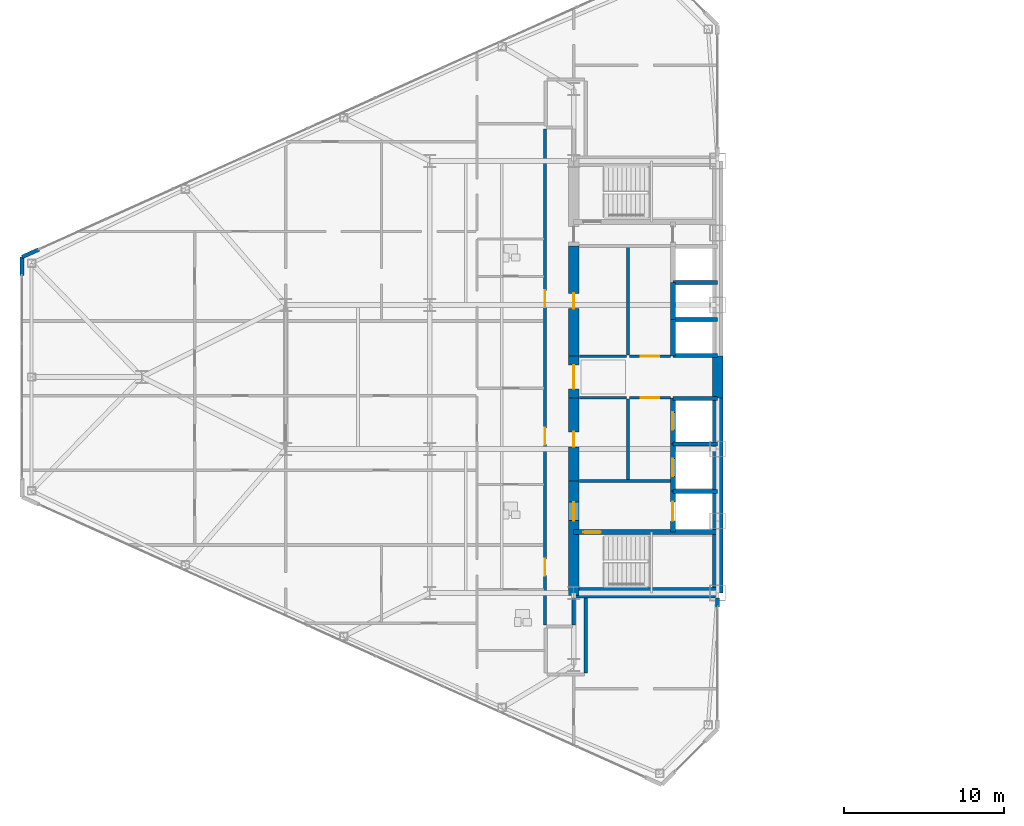
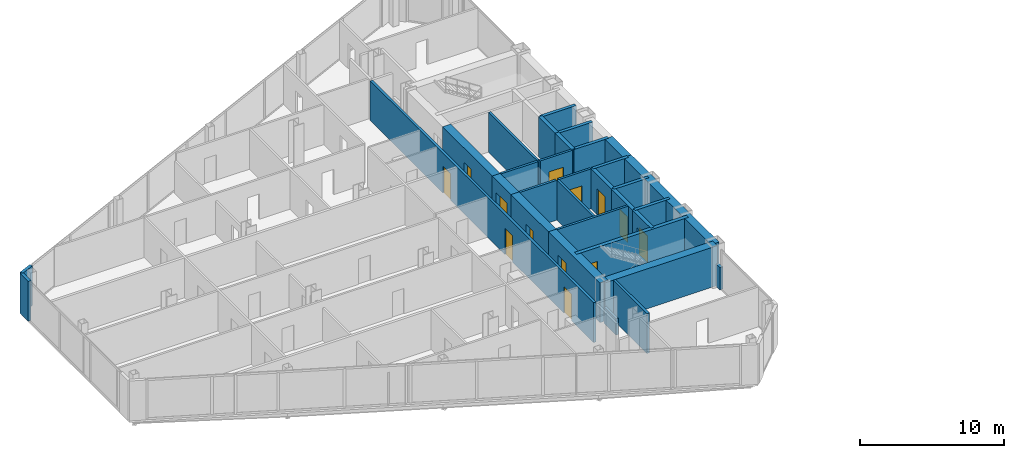
# One storey, part 20 of 27: 32 walls, 13 doors, 13 openings.
"""IFC4 building model written with IfcOpenShell, lengths in metres."""

import ifcopenshell
import ifcopenshell.guid

model = None  # the IFC model being written
_history = None  # IfcOwnerHistory: only IFC2X3 demands one
_inside = {}  # id of a spatial element -> (the spatial element, [elements in it])
_under = {}  # id of a project, library or spatial element -> (it, [spatial elements below it])
_declared = {}  # id of a project -> (the project, [libraries it declares])
_typed = {}  # id of a type object -> (the type object, [elements of that type])
_made_of = {}  # id of a material, layer set ... -> (it, [elements and type objects made of it])


def new_model(schema):
    """Start an empty IFC model of exactly this schema.

    Asked for "IFC4X3", IfcOpenShell would pick the latest addendum, in which some entities
    have other attributes; the version numbers below select the first issue.
    IFC2X3 requires an IfcOwnerHistory on every rooted entity: one is made here for all.
    """
    global model, _history
    if schema == "IFC4X3":
        model = ifcopenshell.file(schema_version=(4, 3, 0, 0))
    else:
        model = ifcopenshell.file(schema=schema)
    _inside.clear()
    _under.clear()
    _declared.clear()
    _typed.clear()
    _made_of.clear()
    _history = None
    if model.schema == "IFC2X3":
        org = make("IfcOrganization", Name="unknown")
        user = make(
            "IfcPersonAndOrganization",
            ThePerson=make("IfcPerson", FamilyName="unknown"),
            TheOrganization=org,
        )
        app = make(
            "IfcApplication",
            ApplicationDeveloper=org,
            Version="unknown",
            ApplicationFullName="unknown",
            ApplicationIdentifier="unknown",
        )
        _history = make(
            "IfcOwnerHistory",
            OwningUser=user,
            OwningApplication=app,
            ChangeAction="ADDED",
            CreationDate=0,
        )
    return model


def make(cls, **values):
    """One entity of the class cls with the attributes given. An attribute that is None is left unset."""
    return model.create_entity(
        cls, **{name: value for name, value in values.items() if value is not None}
    )


def rooted(cls, **values):
    """An entity with a GlobalId (a new one), such as an element, a storey or a relation."""
    return make(cls, GlobalId=ifcopenshell.guid.new(), OwnerHistory=_history, **values)


def si_unit(unit_type, name, prefix=None):
    """IfcSIUnit, for example si_unit("LENGTHUNIT", "METRE", prefix="MILLI")."""
    return make("IfcSIUnit", UnitType=unit_type, Prefix=prefix, Name=name)


def assignment(units):
    """IfcUnitAssignment: the units of a project."""
    return None if units is None else make("IfcUnitAssignment", Units=units)


def point(xyz):
    """IfcCartesianPoint."""
    return None if xyz is None else make("IfcCartesianPoint", Coordinates=xyz)


def direction(xyz):
    """IfcDirection."""
    return None if xyz is None else make("IfcDirection", DirectionRatios=xyz)


def frame(location, z_axis=None, x_axis=None):
    """IfcAxis2Placement3D, a coordinate frame: its origin and axes. An axis left out is left unset."""
    return make(
        "IfcAxis2Placement3D",
        Location=point(location),
        Axis=direction(z_axis),
        RefDirection=direction(x_axis),
    )


def frame_2d(location, x_axis=None):
    """IfcAxis2Placement2D, a coordinate frame in the plane: its origin and x axis."""
    return make(
        "IfcAxis2Placement2D", Location=point(location), RefDirection=direction(x_axis)
    )


def origin():
    """The frame at (0, 0, 0) with its axes left unset."""
    return frame((0.0, 0.0, 0.0))


def place(relative_to, where):
    """IfcLocalPlacement: puts the frame where relative to a parent placement (None: the world)."""
    return make(
        "IfcLocalPlacement", PlacementRelTo=relative_to, RelativePlacement=where
    )


def context(
    kind, dimensions, precision=None, world=None, true_north=None, identifier=None
):
    """IfcGeometricRepresentationContext, for example the 3D "Model" context."""
    return make(
        "IfcGeometricRepresentationContext",
        ContextIdentifier=identifier,
        ContextType=kind,
        CoordinateSpaceDimension=dimensions,
        Precision=precision,
        WorldCoordinateSystem=world,
        TrueNorth=true_north,
    )


def subcontext(parent, identifier, kind, view, scale=None):
    """IfcGeometricRepresentationSubContext, for example "Body" below "Model"."""
    return make(
        "IfcGeometricRepresentationSubContext",
        ContextIdentifier=identifier,
        ContextType=kind,
        ParentContext=parent,
        TargetScale=scale,
        TargetView=view,
    )


def project(units=None, contexts=None):
    """IfcProject with its units and contexts."""
    return rooted(
        "IfcProject",
        Name="project",
        RepresentationContexts=contexts,
        UnitsInContext=assignment(units),
    )


def spatial(cls, under=None, at=None, **own):
    """A site, building, storey or space (cls), placed at a placement, below another one or the project."""
    s = rooted(cls, ObjectPlacement=at, **own)
    if under is not None:
        _under.setdefault(under.id(), (under, []))[1].append(s)
    return s


def profile(cls, at=None, kind="AREA", **sizes):
    """A parametric profile (cls). Its sizes go by their IFC names, for example OverallWidth=200.0."""
    return make(cls, ProfileType=kind, Position=at, **sizes)


def rectangle(**sizes):
    """IfcRectangleProfileDef."""
    return profile("IfcRectangleProfileDef", **sizes)


def extrude(swept, where, along, depth):
    """IfcExtrudedAreaSolid: the profile swept, set in the frame where, extruded along a direction by depth."""
    return make(
        "IfcExtrudedAreaSolid",
        SweptArea=swept,
        Position=where,
        ExtrudedDirection=direction(along),
        Depth=depth,
    )


def shape(context_of_items, identifier, shape_type, items):
    """IfcShapeRepresentation: the items that make up one representation, for example the "Body"."""
    return make(
        "IfcShapeRepresentation",
        ContextOfItems=context_of_items,
        RepresentationIdentifier=identifier,
        RepresentationType=shape_type,
        Items=items,
    )


def source(mapping_origin, context_of_items, identifier, shape_type, items):
    """IfcRepresentationMap: a shape defined once, which mapped items show again and again."""
    return make(
        "IfcRepresentationMap",
        MappingOrigin=mapping_origin,
        MappedRepresentation=shape(context_of_items, identifier, shape_type, items),
    )


def transform(
    local_origin,
    x_axis=None,
    y_axis=None,
    z_axis=None,
    scale=None,
    scale2=None,
    scale3=None,
    uniform=True,
):
    """IfcCartesianTransformationOperator3D, or its non-uniform kind. x_axis, y_axis, z_axis: its Axis1, 2, 3."""
    if uniform:
        return make(
            "IfcCartesianTransformationOperator3D",
            Axis1=direction(x_axis),
            Axis2=direction(y_axis),
            LocalOrigin=point(local_origin),
            Scale=scale,
            Axis3=direction(z_axis),
        )
    return make(
        "IfcCartesianTransformationOperator3DnonUniform",
        Axis1=direction(x_axis),
        Axis2=direction(y_axis),
        LocalOrigin=point(local_origin),
        Scale=scale,
        Axis3=direction(z_axis),
        Scale2=scale2,
        Scale3=scale3,
    )


def mapped(mapping_source, mapping_target):
    """IfcMappedItem: shows the shape of a source again, moved by a transform."""
    return make(
        "IfcMappedItem", MappingSource=mapping_source, MappingTarget=mapping_target
    )


def material(Name=None, Category=None):
    """IfcMaterial."""
    return make("IfcMaterial", Name=Name, Category=Category)


def layer(
    of_material, thickness, ventilated=None, Name=None, Category=None, Priority=None
):
    """IfcMaterialLayer: one layer of a wall or slab, of a material (None: an air gap)."""
    return make(
        "IfcMaterialLayer",
        Material=of_material,
        LayerThickness=thickness,
        IsVentilated=ventilated,
        Name=Name,
        Category=Category,
        Priority=Priority,
    )


def layer_set(layers, Name=None):
    """IfcMaterialLayerSet."""
    return make("IfcMaterialLayerSet", MaterialLayers=layers, LayerSetName=Name)


def made_of(thing, what):
    """Note that an element or type object is made of a material, layer set ...; save() writes the relation."""
    if what is not None:
        _made_of.setdefault(what.id(), (what, []))[1].append(thing)
    return thing


def type_object(cls, material=None, **own):
    """A type object (cls), such as IfcWallType, which elements share."""
    return made_of(rooted(cls, **own), material)


def type_shapes(of_type, sources):
    """Give a type object the sources (RepresentationMaps) that its elements show as mapped items."""
    of_type.RepresentationMaps = sources


def element(
    cls,
    number,
    at=None,
    inside=None,
    cuts=None,
    type_object=None,
    material=None,
    context=None,
    identifier="Body",
    shape_type=None,
    held_by="IfcProductDefinitionShape",
    body=None,
    shapes=None,
    **own,
):
    """One element of the class cls, such as IfcWall. Its Tag is "e" and its number.

    at: its placement. inside: the storey or other place that contains it. cuts: it is an
    opening in that element (IfcRelVoidsElement). A single representation is given by context,
    identifier, shape_type and body (its items); several are given by shapes. held_by: the class
    of the entity that holds the representations. save() writes the other relations.
    """
    e = rooted(cls, Tag="e%d" % number, ObjectPlacement=at, **own)
    if body is not None:
        shapes = [shape(context, identifier, shape_type, body)]
    if shapes is not None:
        e.Representation = make(held_by, Representations=shapes)
    if inside is not None:
        _inside.setdefault(inside.id(), (inside, []))[1].append(e)
    if cuts is not None:
        rooted(
            "IfcRelVoidsElement", RelatingBuildingElement=cuts, RelatedOpeningElement=e
        )
    if type_object is not None:
        _typed.setdefault(type_object.id(), (type_object, []))[1].append(e)
    return made_of(e, material)


def fill(opening, filler):
    """IfcRelFillsElement: the door or window that sits in an opening."""
    return rooted(
        "IfcRelFillsElement",
        RelatingOpeningElement=opening,
        RelatedBuildingElement=filler,
    )


def aggregate(whole, parts):
    """IfcRelAggregates: a whole, such as a stair, and the parts it consists of."""
    return rooted("IfcRelAggregates", RelatingObject=whole, RelatedObjects=parts)


def save(model, path):
    """Write the relations noted so far, then the file.

    IfcRelAggregates (storeys below a building ...), IfcRelContainedInSpatialStructure (elements
    in a storey), IfcRelDefinesByType, IfcRelAssociatesMaterial and IfcRelDeclares: one each for
    every whole, place, type object, material and project.
    """
    for whole, parts in _under.values():
        aggregate(whole, parts)
    for where, things in _inside.values():
        rooted(
            "IfcRelContainedInSpatialStructure",
            RelatedElements=things,
            RelatingStructure=where,
        )
    for kind, things in _typed.values():
        rooted("IfcRelDefinesByType", RelatedObjects=things, RelatingType=kind)
    for what, things in _made_of.values():
        rooted("IfcRelAssociatesMaterial", RelatedObjects=things, RelatingMaterial=what)
    for by, libraries in _declared.values():
        rooted("IfcRelDeclares", RelatingContext=by, RelatedDefinitions=libraries)
    model.write(path)


model = new_model("IFC4")

# Units and contexts
model_context = context("Model", 3, precision=1e-05, world=origin(), true_north=direction((0.0, 1.0)))
body_context = subcontext(model_context, "Body", "Model", "MODEL_VIEW")
ifc_project = project(units=[si_unit("LENGTHUNIT", "METRE"), si_unit("AREAUNIT", "SQUARE_METRE"), si_unit("VOLUMEUNIT", "CUBIC_METRE"), si_unit("PLANEANGLEUNIT", "RADIAN"), si_unit("MASSUNIT", "GRAM", prefix="KILO")], contexts=[model_context])

# Site, building, storey
site_placement = place(None, origin())
site = spatial("IfcSite", under=ifc_project, at=site_placement, CompositionType="ELEMENT")
building_placement = place(site_placement, origin())
building = spatial("IfcBuilding", under=site, at=building_placement, Name="Seokmaru Belvedere", CompositionType="ELEMENT")
storey_placement = place(building_placement, frame((0.0, 0.0, 106.800048828125)))
storey = spatial("IfcBuildingStorey", under=building, at=storey_placement, Name="L28", CompositionType="ELEMENT", Elevation=106.800048828125)

# Walls
ifc_material_1 = material(Name="Fire-Rated Gypsum Shaftwall")
ifc_layer_1 = layer(ifc_material_1, 0.179931640625)
ifc_layer_set_1 = layer_set([ifc_layer_1], Name="Fire-Rated Gypsum Shaftwall")
wall_type_1 = type_object("IfcWallType", Name="Core Service Fire Partition 180", PredefinedType="PARTITIONING", material=ifc_layer_set_1)
wall_1_placement = place(storey_placement, frame((-36.14990234375, -6.5, 0.0), z_axis=(0.0, 0.0, 1.0), x_axis=(1.0, 0.0, 0.0)))
element("IfcWall", 1, at=wall_1_placement, inside=storey, type_object=wall_type_1, Name="L28 West Firefighting Lobby Partition", PredefinedType="PARTITIONING", context=body_context, shape_type="SweptSolid", body=[
    extrude(rectangle(XDim=5.699951171875, YDim=0.179931640625, at=frame_2d((2.85009765625, 0.0))), origin(), (0.0, 0.0, 1.0), 3.3798828125),
])
wall_2_placement = place(storey_placement, frame((-33.10009765625, -6.419921875, 0.0), z_axis=(0.0, 0.0, 1.0), x_axis=(0.0, 1.0, 0.0)))
element("IfcWall", 2, at=wall_2_placement, inside=storey, type_object=wall_type_1, Name="L28 West South Core Service Back Wall", PredefinedType="PARTITIONING", context=body_context, shape_type="SweptSolid", body=[
    extrude(rectangle(XDim=5.0400390625, YDim=0.179931640625, at=frame_2d((2.52001953125, 0.0))), origin(), (0.0, 0.0, 1.0), 3.3798828125),
])
wall_3_placement = place(storey_placement, frame((-33.10009765625, 1.3798828125, 0.0), z_axis=(0.0, 0.0, 1.0), x_axis=(0.0, 1.0, 0.0)))
element("IfcWall", 3, at=wall_3_placement, inside=storey, type_object=wall_type_1, Name="L28 West North Core Service Back Wall", PredefinedType="PARTITIONING", context=body_context, shape_type="SweptSolid", body=[
    extrude(rectangle(XDim=6.740234375, YDim=0.179931640625, at=frame_2d((3.3701171875, 0.0))), origin(), (0.0, 0.0, 1.0), 3.3798828125),
])

# Wall, opening, door
wall_4_placement = place(storey_placement, frame((-33.02001953125, -1.300048828125, 0.0), z_axis=(0.0, 0.0, 1.0), x_axis=(1.0, 0.0, 0.0)))
wall_4 = element("IfcWall", 4, at=wall_4_placement, inside=storey, type_object=wall_type_1, Name="L28 West South Lift Lobby Foyer Wall", PredefinedType="PARTITIONING", context=body_context, shape_type="SweptSolid", body=[
    extrude(rectangle(XDim=2.570068359375, YDim=0.179931640625, at=frame_2d((1.28515625, 0.0))), origin(), (0.0, 0.0, 1.0), 3.3798828125),
])
opening_1_placement = place(wall_4_placement, frame((0.7099609375, 0.0, 0.0)))
opening_1 = element("IfcOpeningElement", 5, at=opening_1_placement, cuts=wall_4, Name="Opening D02", PredefinedType="OPENING", context=body_context, shape_type="SweptSolid", body=[
    extrude(rectangle(XDim=1.14990234375, YDim=2.199951171875, at=frame_2d((0.574951171875, 1.10009765625))), frame((0.0, 0.10009765625, 0.0), z_axis=(0.0, -1.0, 0.0), x_axis=(1.0, 0.0, 0.0)), (0.0, 0.0, 1.0), 0.199951171875),
])
ifc_material_2 = material(Name="Fire-Rated Steel Leaf", Category="steel")
door_type_1 = type_object("IfcDoorType", Name="Lobby and Vestibule Fire Door 1150x2200", OperationType="NOTDEFINED", PredefinedType="DOOR", material=ifc_material_2)
shared_shape_1 = source(origin(), body_context, "Body", "SweptSolid", [
    extrude(rectangle(XDim=1.14990234375, YDim=2.199951171875, at=frame_2d((0.574951171875, 1.10009765625))), frame((0.0, 0.02490234375, 0.0), z_axis=(0.0, -1.0, 0.0), x_axis=(1.0, 0.0, 0.0)), (0.0, 0.0, 1.0), 0.050048828125),
])
type_shapes(door_type_1, [shared_shape_1])
door_1_placement = place(opening_1_placement, origin())
door_1 = element("IfcDoor", 6, at=door_1_placement, inside=storey, type_object=door_type_1, Name="L28 West South Core Foyer Door", OperationType="SINGLE_SWING_LEFT", OverallHeight=2.199951171875, OverallWidth=1.14990234375, PredefinedType="DOOR", context=body_context, shape_type="MappedRepresentation", body=[
    mapped(shared_shape_1, transform((0.0, 0.0, 0.0), scale=1.0)),
])
fill(opening_1, door_1)

wall_5_placement = place(storey_placement, frame((-33.02001953125, 1.300048828125, 0.0), z_axis=(0.0, 0.0, 1.0), x_axis=(1.0, 0.0, 0.0)))
wall_5 = element("IfcWall", 7, at=wall_5_placement, inside=storey, type_object=wall_type_1, Name="L28 West North Lift Lobby Foyer Wall", PredefinedType="PARTITIONING", context=body_context, shape_type="SweptSolid", body=[
    extrude(rectangle(XDim=2.570068359375, YDim=0.179931640625, at=frame_2d((1.28515625, 0.0))), origin(), (0.0, 0.0, 1.0), 3.3798828125),
])
opening_2_placement = place(wall_5_placement, frame((0.7099609375, 0.0, 0.0)))
opening_2 = element("IfcOpeningElement", 8, at=opening_2_placement, cuts=wall_5, Name="Opening D02", PredefinedType="OPENING", context=body_context, shape_type="SweptSolid", body=[
    extrude(rectangle(XDim=1.14990234375, YDim=2.199951171875, at=frame_2d((0.574951171875, 1.10009765625))), frame((0.0, 0.10009765625, 0.0), z_axis=(0.0, -1.0, 0.0), x_axis=(1.0, 0.0, 0.0)), (0.0, 0.0, 1.0), 0.199951171875),
])
door_2_placement = place(opening_2_placement, origin())
door_2 = element("IfcDoor", 9, at=door_2_placement, inside=storey, type_object=door_type_1, Name="L28 West North Lift Lobby Door", OperationType="SINGLE_SWING_RIGHT", OverallHeight=2.199951171875, OverallWidth=1.14990234375, PredefinedType="DOOR", context=body_context, shape_type="MappedRepresentation", body=[
    mapped(shared_shape_1, transform((0.0, 0.0, 0.0), scale=1.0)),
])
fill(opening_2, door_2)

# Walls
for number, where, z_axis, x_axis, name in (
    (10, (-36.14990234375, -1.300048828125, 0.0), (0.0, 0.0, 1.0), (1.0, 0.0, 0.0), "L28 West Foyer Side Wall S"),
    (11, (-36.14990234375, 1.300048828125, 0.0), (0.0, 0.0, 1.0), (1.0, 0.0, 0.0), "L28 West Foyer Side Wall N"),
):
    element("IfcWall", number, at=place(storey_placement, frame(where, z_axis=z_axis, x_axis=x_axis)), inside=storey, type_object=wall_type_1, Name=name, PredefinedType="PARTITIONING", context=body_context, shape_type="SweptSolid", body=[
        extrude(rectangle(XDim=2.949951171875, YDim=0.179931640625, at=frame_2d((1.47509765625, 0.0))), origin(), (0.0, 0.0, 1.0), 3.3798828125),
    ])
ifc_material_3 = material(Name="Concrete C50 (50 MPa)", Category="concrete")
ifc_layer_2 = layer(ifc_material_3, 0.25)
ifc_layer_set_2 = layer_set([ifc_layer_2], Name="Concrete C50 (50 MPa)")
wall_type_2 = type_object("IfcWallType", Name="Hoistway Transverse Concrete Divider Wall 250", PredefinedType="SHEAR", material=ifc_layer_set_2)
for number, where, z_axis, x_axis, name in (
    (12, (-30.300048828125, -7.14990234375, 0.0), (0.0, 0.0, 1.0), (1.0, 0.0, 0.0), "L28 West Hoistway Divider Core Wall 1"),
    (13, (-30.300048828125, -4.199951171875, 0.0), (0.0, 0.0, 1.0), (1.0, 0.0, 0.0), "L28 West Hoistway Divider Core Wall 2"),
    (14, (-30.300048828125, -1.35009765625, 0.0), (0.0, 0.0, 1.0), (1.0, 0.0, 0.0), "L28 West Hoistway Divider Core Wall 3"),
    (15, (-30.300048828125, 1.35009765625, 0.0), (0.0, 0.0, 1.0), (1.0, 0.0, 0.0), "L28 West Hoistway Divider Core Wall 4"),
    (16, (-30.300048828125, 3.60009765625, 0.0), (0.0, 0.0, 1.0), (1.0, 0.0, 0.0), "L28 West Hoistway Divider Core Wall 5"),
    (17, (-30.300048828125, 5.89990234375, 0.0), (0.0, 0.0, 1.0), (1.0, 0.0, 0.0), "L28 West Hoistway Divider Core Wall 6"),
):
    element("IfcWall", number, at=place(storey_placement, frame(where, z_axis=z_axis, x_axis=x_axis)), inside=storey, type_object=wall_type_2, Name=name, PredefinedType="SHEAR", context=body_context, shape_type="SweptSolid", body=[
        extrude(rectangle(XDim=2.800048828125, YDim=0.25, at=frame_2d((1.39990234375, 0.0))), origin(), (0.0, 0.0, 1.0), 3.3798828125),
    ])

# Wall, openings, doors
ifc_layer_3 = layer(ifc_material_1, 0.199951171875)
ifc_layer_set_3 = layer_set([ifc_layer_3], Name="Fire-Rated Gypsum Shaftwall")
wall_type_3 = type_object("IfcWallType", Name="Inter-Tenancy Fire Compartment Partition 200", PredefinedType="PARTITIONING", material=ifc_layer_set_3)
wall_6_placement = place(storey_placement, frame((-38.300048828125, -15.514892578125, 0.0), z_axis=(0.0, 0.0, 1.0), x_axis=(0.0, 1.0, 0.0)))
wall_6 = element("IfcWall", 18, at=wall_6_placement, inside=storey, type_object=wall_type_3, Name="L28 Interior Partition 044", PredefinedType="PARTITIONING", context=body_context, shape_type="SweptSolid", body=[
    extrude(rectangle(XDim=31.02978515625, YDim=0.199951171875, at=frame_2d((15.514892578125, 0.0))), origin(), (0.0, 0.0, 1.0), 3.3798828125),
])
opening_3_placement = place(wall_6_placement, frame((3.092529296875, 0.0, 0.0)))
opening_3 = element("IfcOpeningElement", 19, at=opening_3_placement, cuts=wall_6, Name="Opening D03", PredefinedType="OPENING", context=body_context, shape_type="SweptSolid", body=[
    extrude(rectangle(XDim=1.050048828125, YDim=2.25, at=frame_2d((0.52490234375, 1.125))), frame((0.0, 0.10986328125, 0.0), z_axis=(0.0, -1.0, 0.0), x_axis=(1.0, 0.0, 0.0)), (0.0, 0.0, 1.0), 0.219970703125),
])
opening_4_placement = place(wall_6_placement, frame((11.280029296875, 0.0, 0.0)))
opening_4 = element("IfcOpeningElement", 20, at=opening_4_placement, cuts=wall_6, Name="Opening D03", PredefinedType="OPENING", context=body_context, shape_type="SweptSolid", body=[
    extrude(rectangle(XDim=1.050048828125, YDim=2.25, at=frame_2d((0.52490234375, 1.125))), frame((0.0, 0.10986328125, 0.0), z_axis=(0.0, -1.0, 0.0), x_axis=(1.0, 0.0, 0.0)), (0.0, 0.0, 1.0), 0.219970703125),
])
opening_5_placement = place(wall_6_placement, frame((19.887451171875, 0.0, 0.0)))
opening_5 = element("IfcOpeningElement", 21, at=opening_5_placement, cuts=wall_6, Name="Opening D03", PredefinedType="OPENING", context=body_context, shape_type="SweptSolid", body=[
    extrude(rectangle(XDim=1.050048828125, YDim=2.25, at=frame_2d((0.52490234375, 1.125))), frame((0.0, 0.10986328125, 0.0), z_axis=(0.0, -1.0, 0.0), x_axis=(1.0, 0.0, 0.0)), (0.0, 0.0, 1.0), 0.219970703125),
])
door_type_2 = type_object("IfcDoorType", Name="Apartment Entrance Fire Door 1050x2250", OperationType="NOTDEFINED", PredefinedType="DOOR", material=ifc_material_2)
shared_shape_2 = source(origin(), body_context, "Body", "SweptSolid", [
    extrude(rectangle(XDim=1.050048828125, YDim=2.25, at=frame_2d((0.52490234375, 1.125))), frame((0.0, 0.02490234375, 0.0), z_axis=(0.0, -1.0, 0.0), x_axis=(1.0, 0.0, 0.0)), (0.0, 0.0, 1.0), 0.050048828125),
])
type_shapes(door_type_2, [shared_shape_2])
door_3_placement = place(opening_3_placement, origin())
door_3 = element("IfcDoor", 22, at=door_3_placement, inside=storey, type_object=door_type_2, Name="L28 Interior Door 001", OperationType="SINGLE_SWING_RIGHT", OverallHeight=2.25, OverallWidth=1.050048828125, PredefinedType="DOOR", context=body_context, shape_type="MappedRepresentation", body=[
    mapped(shared_shape_2, transform((0.0, 0.0, 0.0), scale=1.0)),
])
fill(opening_3, door_3)
door_4_placement = place(opening_4_placement, origin())
door_4 = element("IfcDoor", 23, at=door_4_placement, inside=storey, type_object=door_type_2, Name="L28 Interior Door 010", OperationType="SINGLE_SWING_LEFT", OverallHeight=2.25, OverallWidth=1.050048828125, PredefinedType="DOOR", context=body_context, shape_type="MappedRepresentation", body=[
    mapped(shared_shape_2, transform((0.0, 0.0, 0.0), scale=1.0)),
])
fill(opening_4, door_4)
door_5_placement = place(opening_5_placement, origin())
door_5 = element("IfcDoor", 24, at=door_5_placement, inside=storey, type_object=door_type_2, Name="L28 Interior Door 022", OperationType="SINGLE_SWING_RIGHT", OverallHeight=2.25, OverallWidth=1.050048828125, PredefinedType="DOOR", context=body_context, shape_type="MappedRepresentation", body=[
    mapped(shared_shape_2, transform((0.0, 0.0, 0.0), scale=1.0)),
])
fill(opening_5, door_5)

# Walls
wall_7_placement = place(storey_placement, frame((-36.5, -15.514892578125, 0.0), z_axis=(0.0, 0.0, 1.0), x_axis=(0.0, 1.0, 0.0)))
element("IfcWall", 25, at=wall_7_placement, inside=storey, type_object=wall_type_3, Name="L28 Interior Partition 048", PredefinedType="PARTITIONING", context=body_context, shape_type="SweptSolid", body=[
    extrude(rectangle(XDim=1.684814453125, YDim=0.199951171875, at=frame_2d((0.84228515625, 0.0))), origin(), (0.0, 0.0, 1.0), 1.3798828125),
])
wall_8_placement = place(storey_placement, frame((-35.75, -18.514892578125, 0.0), z_axis=(0.0, 0.0, 1.0), x_axis=(0.0, 1.0, 0.0)))
element("IfcWall", 26, at=wall_8_placement, inside=storey, type_object=wall_type_3, Name="L28 Interior Partition 051", PredefinedType="PARTITIONING", context=body_context, shape_type="SweptSolid", body=[
    extrude(rectangle(XDim=4.684814453125, YDim=0.199951171875, at=frame_2d((2.34228515625, 0.0))), origin(), (0.0, 0.0, 1.0), 3.3798828125),
])

# Wall, opening, door
ifc_layer_4 = layer(ifc_material_3, 0.300048828125)
ifc_layer_set_4 = layer_set([ifc_layer_4], Name="Concrete C50 (50 MPa)")
wall_type_4 = type_object("IfcWallType", Name="Internal Core Stair and Hoistway Wall 300", PredefinedType="SHEAR", material=ifc_layer_set_4)
wall_9_placement = place(storey_placement, frame((-36.5, -9.699951171875, 0.0), z_axis=(0.0, 0.0, 1.0), x_axis=(1.0, 0.0, 0.0)))
wall_9 = element("IfcWall", 27, at=wall_9_placement, inside=storey, type_object=wall_type_4, Name="L28 West Stair ST-1 Enclosure Wall", PredefinedType="SHEAR", context=body_context, shape_type="SweptSolid", body=[
    extrude(rectangle(XDim=9.0, YDim=0.300048828125, at=frame_2d((4.5, 0.0))), origin(), (0.0, 0.0, 1.0), 3.3798828125),
])
opening_6_placement = place(wall_9_placement, frame((0.60009765625, 0.0, 0.0)))
opening_6 = element("IfcOpeningElement", 28, at=opening_6_placement, cuts=wall_9, Name="Opening D01", PredefinedType="OPENING", context=body_context, shape_type="SweptSolid", body=[
    extrude(rectangle(XDim=1.10009765625, YDim=2.199951171875, at=frame_2d((0.550048828125, 1.10009765625))), frame((0.0, 0.16015625, 0.0), z_axis=(0.0, -1.0, 0.0), x_axis=(1.0, 0.0, 0.0)), (0.0, 0.0, 1.0), 0.320068359375),
])
door_type_3 = type_object("IfcDoorType", Name="Special Escape Stair Smokeproof Fire Door 1100x2200", OperationType="NOTDEFINED", PredefinedType="DOOR", material=ifc_material_2)
shared_shape_3 = source(origin(), body_context, "Body", "SweptSolid", [
    extrude(rectangle(XDim=1.10009765625, YDim=2.199951171875, at=frame_2d((0.550048828125, 1.10009765625))), frame((0.0, 0.02490234375, 0.0), z_axis=(0.0, -1.0, 0.0), x_axis=(1.0, 0.0, 0.0)), (0.0, 0.0, 1.0), 0.050048828125),
])
type_shapes(door_type_3, [shared_shape_3])
door_6_placement = place(opening_6_placement, frame((1.10009765625, 0.0, 0.0), z_axis=(0.0, 0.0, 1.0), x_axis=(-1.0, 0.0, 0.0)))
door_6 = element("IfcDoor", 29, at=door_6_placement, inside=storey, type_object=door_type_3, Name="L28 West Special Escape Stair ST-1 Door", OperationType="SINGLE_SWING_LEFT", OverallHeight=2.199951171875, OverallWidth=1.10009765625, PredefinedType="DOOR", context=body_context, shape_type="MappedRepresentation", body=[
    mapped(shared_shape_3, transform((0.0, 0.0, 0.0), scale=1.0)),
])
fill(opening_6, door_6)

wall_10_placement = place(storey_placement, frame((-30.300048828125, -9.679931640625, 0.0), z_axis=(0.0, 0.0, 1.0), x_axis=(0.0, 1.0, 0.0)))
wall_10 = element("IfcWall", 30, at=wall_10_placement, inside=storey, type_object=wall_type_4, Name="L28 West Firefighting Lift Shaft Front Wall", PredefinedType="SHEAR", context=body_context, shape_type="SweptSolid", body=[
    extrude(rectangle(XDim=2.559814453125, YDim=0.300048828125, at=frame_2d((1.27978515625, 0.0))), origin(), (0.0, 0.0, 1.0), 3.3798828125),
])
opening_7_placement = place(wall_10_placement, frame((0.679931640625, 0.0, 0.0)))
opening_7 = element("IfcOpeningElement", 31, at=opening_7_placement, cuts=wall_10, Name="Opening LD2", PredefinedType="OPENING", context=body_context, shape_type="SweptSolid", body=[
    extrude(rectangle(XDim=1.199951171875, YDim=2.25, at=frame_2d((0.60009765625, 1.125))), frame((0.0, 0.16015625, 0.0), z_axis=(0.0, -1.0, 0.0), x_axis=(1.0, 0.0, 0.0)), (0.0, 0.0, 1.0), 0.320068359375),
])
ifc_material_4 = material(Name="Stainless Steel 316", Category="steel")
door_type_4 = type_object("IfcDoorType", Name="Firefighting Lift Sliding Landing Door 1200x2250", OperationType="DOUBLE_DOOR_SLIDING", PredefinedType="DOOR", material=ifc_material_4)
shared_shape_4 = source(origin(), body_context, "Body", "SweptSolid", [
    extrude(rectangle(XDim=1.199951171875, YDim=2.25, at=frame_2d((0.60009765625, 1.125))), frame((0.0, 0.02490234375, 0.0), z_axis=(0.0, -1.0, 0.0), x_axis=(1.0, 0.0, 0.0)), (0.0, 0.0, 1.0), 0.050048828125),
])
type_shapes(door_type_4, [shared_shape_4])
door_7_placement = place(opening_7_placement, origin())
door_7 = element("IfcDoor", 32, at=door_7_placement, inside=storey, type_object=door_type_4, Name="L28 West Firefighting Lift Landing Door", OperationType="DOUBLE_DOOR_SLIDING", OverallHeight=2.25, OverallWidth=1.199951171875, PredefinedType="DOOR", context=body_context, shape_type="MappedRepresentation", body=[
    mapped(shared_shape_4, transform((0.0, 0.0, 0.0), scale=1.0)),
])
fill(opening_7, door_7)

wall_11_placement = place(storey_placement, frame((-30.300048828125, -7.1201171875, 0.0), z_axis=(0.0, 0.0, 1.0), x_axis=(0.0, 1.0, 0.0)))
wall_11 = element("IfcWall", 33, at=wall_11_placement, inside=storey, type_object=wall_type_4, Name="L28 West Low-Rise Lift PL-1 Front Wall", PredefinedType="SHEAR", context=body_context, shape_type="SweptSolid", body=[
    extrude(rectangle(XDim=2.920166015625, YDim=0.300048828125, at=frame_2d((1.4599609375, 0.0))), origin(), (0.0, 0.0, 1.0), 3.3798828125),
])
opening_8_placement = place(wall_11_placement, frame((0.909912109375, 0.0, 0.0)))
opening_8 = element("IfcOpeningElement", 34, at=opening_8_placement, cuts=wall_11, Name="Opening LD1", PredefinedType="OPENING", context=body_context, shape_type="SweptSolid", body=[
    extrude(rectangle(XDim=1.10009765625, YDim=2.199951171875, at=frame_2d((0.550048828125, 1.10009765625))), frame((0.0, 0.16015625, 0.0), z_axis=(0.0, -1.0, 0.0), x_axis=(1.0, 0.0, 0.0)), (0.0, 0.0, 1.0), 0.320068359375),
])
door_type_5 = type_object("IfcDoorType", Name="Passenger Lift Sliding Landing Door 1100x2200", OperationType="DOUBLE_DOOR_SLIDING", PredefinedType="DOOR", material=ifc_material_4)
shared_shape_5 = source(origin(), body_context, "Body", "SweptSolid", [
    extrude(rectangle(XDim=1.10009765625, YDim=2.199951171875, at=frame_2d((0.550048828125, 1.10009765625))), frame((0.0, 0.02490234375, 0.0), z_axis=(0.0, -1.0, 0.0), x_axis=(1.0, 0.0, 0.0)), (0.0, 0.0, 1.0), 0.050048828125),
])
type_shapes(door_type_5, [shared_shape_5])
door_8_placement = place(opening_8_placement, origin())
door_8 = element("IfcDoor", 35, at=door_8_placement, inside=storey, type_object=door_type_5, Name="L28 West Low-Rise Lift PL-1 Landing Door", OperationType="DOUBLE_DOOR_SLIDING", OverallHeight=2.199951171875, OverallWidth=1.10009765625, PredefinedType="DOOR", context=body_context, shape_type="MappedRepresentation", body=[
    mapped(shared_shape_5, transform((0.0, 0.0, 0.0), scale=1.0)),
])
fill(opening_8, door_8)

wall_12_placement = place(storey_placement, frame((-30.300048828125, -4.199951171875, 0.0), z_axis=(0.0, 0.0, 1.0), x_axis=(0.0, 1.0, 0.0)))
wall_12 = element("IfcWall", 36, at=wall_12_placement, inside=storey, type_object=wall_type_4, Name="L28 West Low-Rise Lift PL-2 Front Wall", PredefinedType="SHEAR", context=body_context, shape_type="SweptSolid", body=[
    extrude(rectangle(XDim=2.8798828125, YDim=0.300048828125, at=frame_2d((1.43994140625, 0.0))), origin(), (0.0, 0.0, 1.0), 3.3798828125),
])
opening_9_placement = place(wall_12_placement, frame((0.889892578125, 0.0, 0.0)))
opening_9 = element("IfcOpeningElement", 37, at=opening_9_placement, cuts=wall_12, Name="Opening LD1", PredefinedType="OPENING", context=body_context, shape_type="SweptSolid", body=[
    extrude(rectangle(XDim=1.10009765625, YDim=2.199951171875, at=frame_2d((0.550048828125, 1.10009765625))), frame((0.0, 0.16015625, 0.0), z_axis=(0.0, -1.0, 0.0), x_axis=(1.0, 0.0, 0.0)), (0.0, 0.0, 1.0), 0.320068359375),
])
door_9_placement = place(opening_9_placement, origin())
door_9 = element("IfcDoor", 38, at=door_9_placement, inside=storey, type_object=door_type_5, Name="L28 West Low-Rise Lift PL-2 Landing Door", OperationType="DOUBLE_DOOR_SLIDING", OverallHeight=2.199951171875, OverallWidth=1.10009765625, PredefinedType="DOOR", context=body_context, shape_type="MappedRepresentation", body=[
    mapped(shared_shape_5, transform((0.0, 0.0, 0.0), scale=1.0)),
])
fill(opening_9, door_9)

# Walls
wall_13_placement = place(storey_placement, frame((-30.300048828125, 1.320068359375, 0.0), z_axis=(0.0, 0.0, 1.0), x_axis=(0.0, 1.0, 0.0)))
element("IfcWall", 39, at=wall_13_placement, inside=storey, type_object=wall_type_4, Name="L28 West North Hoistway Wall PH1", PredefinedType="SHEAR", context=body_context, shape_type="SweptSolid", body=[
    extrude(rectangle(XDim=2.280029296875, YDim=0.300048828125, at=frame_2d((1.14013671875, 0.0))), origin(), (0.0, 0.0, 1.0), 3.3798828125),
])
wall_14_placement = place(storey_placement, frame((-30.300048828125, 3.60009765625, 0.0), z_axis=(0.0, 0.0, 1.0), x_axis=(0.0, 1.0, 0.0)))
element("IfcWall", 40, at=wall_14_placement, inside=storey, type_object=wall_type_4, Name="L28 West North Hoistway Wall PH2", PredefinedType="SHEAR", context=body_context, shape_type="SweptSolid", body=[
    extrude(rectangle(XDim=2.2998046875, YDim=0.300048828125, at=frame_2d((1.14990234375, 0.0))), origin(), (0.0, 0.0, 1.0), 3.3798828125),
])
ifc_material_5 = material(Name="Concrete C60 (60 MPa)", Category="concrete")
ifc_layer_5 = layer(ifc_material_5, 0.64990234375)
ifc_layer_set_5 = layer_set([ifc_layer_5], Name="Concrete C60 (60 MPa)")
wall_type_5 = type_object("IfcWallType", Name="Mid-Low Reinforced Concrete Core Wall 650", PredefinedType="SHEAR", material=ifc_layer_set_5)
wall_15_placement = place(storey_placement, frame((-27.5, -13.5, 0.0), z_axis=(0.0, 0.0, 1.0), x_axis=(0.0, 1.0, 0.0)))
element("IfcWall", 41, at=wall_15_placement, inside=storey, type_object=wall_type_5, Name="L28 West Portal Spine Core Wall South", PredefinedType="SHEAR", context=body_context, shape_type="SweptSolid", body=[
    extrude(rectangle(XDim=12.199951171875, YDim=0.64990234375, at=frame_2d((6.10009765625, 0.0))), origin(), (0.0, 0.0, 1.0), 3.3798828125),
])
wall_16_placement = place(storey_placement, frame((-27.5, -1.300048828125, 0.0), z_axis=(0.0, 0.0, 1.0), x_axis=(0.0, 1.0, 0.0)))
element("IfcWall", 42, at=wall_16_placement, inside=storey, type_object=wall_type_5, Name="L28 West Portal Spine Core Wall Center", PredefinedType="SHEAR", context=body_context, shape_type="SweptSolid", body=[
    extrude(rectangle(XDim=2.60009765625, YDim=0.64990234375, at=frame_2d((1.300048828125, 0.0))), origin(), (0.0, 0.0, 1.0), 3.3798828125),
])
wall_17_placement = place(storey_placement, frame((-36.5, -13.5, 0.0), z_axis=(0.0, 0.0, 1.0), x_axis=(1.0, 0.0, 0.0)))
element("IfcWall", 43, at=wall_17_placement, inside=storey, type_object=wall_type_5, Name="L28 West South Core Wall", PredefinedType="SHEAR", context=body_context, shape_type="SweptSolid", body=[
    extrude(rectangle(XDim=9.0, YDim=0.64990234375, at=frame_2d((4.5, 0.0))), origin(), (0.0, 0.0, 1.0), 3.3798828125),
])

# Wall, opening, door
wall_18_placement = place(storey_placement, frame((-36.5, -13.64990234375, 0.0), z_axis=(0.0, 0.0, 1.0), x_axis=(0.0, 1.0, 0.0)))
wall_18 = element("IfcWall", 44, at=wall_18_placement, inside=storey, type_object=wall_type_5, Name="L28 West West Core Wall FF", PredefinedType="SHEAR", context=body_context, shape_type="SweptSolid", body=[
    extrude(rectangle(XDim=7.14990234375, YDim=0.64990234375, at=frame_2d((3.574951171875, 0.0))), origin(), (0.0, 0.0, 1.0), 3.3798828125),
])
opening_10_placement = place(wall_18_placement, frame((4.675048828125, 0.0, 0.0)))
opening_10 = element("IfcOpeningElement", 45, at=opening_10_placement, cuts=wall_18, Name="Opening D02", PredefinedType="OPENING", context=body_context, shape_type="SweptSolid", body=[
    extrude(rectangle(XDim=1.14990234375, YDim=2.199951171875, at=frame_2d((0.574951171875, 1.10009765625))), frame((0.0, 0.3349609375, 0.0), z_axis=(0.0, -1.0, 0.0), x_axis=(1.0, 0.0, 0.0)), (0.0, 0.0, 1.0), 0.669921875),
])
door_10_placement = place(opening_10_placement, frame((1.14990234375, 0.0, 0.0), z_axis=(0.0, 0.0, 1.0), x_axis=(-1.0, 0.0, 0.0)))
door_10 = element("IfcDoor", 46, at=door_10_placement, inside=storey, type_object=door_type_1, Name="L28 West Firefighting Lobby Door", OperationType="SINGLE_SWING_LEFT", OverallHeight=2.199951171875, OverallWidth=1.14990234375, PredefinedType="DOOR", context=body_context, shape_type="MappedRepresentation", body=[
    mapped(shared_shape_1, transform((0.0, 0.0, 0.0), scale=1.0)),
])
fill(opening_10, door_10)

wall_19_placement = place(storey_placement, frame((-36.5, -1.300048828125, 0.0), z_axis=(0.0, 0.0, 1.0), x_axis=(0.0, 1.0, 0.0)))
wall_19 = element("IfcWall", 47, at=wall_19_placement, inside=storey, type_object=wall_type_5, Name="L28 West West Core Wall FOY", PredefinedType="SHEAR", context=body_context, shape_type="SweptSolid", body=[
    extrude(rectangle(XDim=2.60009765625, YDim=0.64990234375, at=frame_2d((1.300048828125, 0.0))), origin(), (0.0, 0.0, 1.0), 3.3798828125),
])
opening_11_placement = place(wall_19_placement, frame((0.550048828125, 0.0, 0.0)))
opening_11 = element("IfcOpeningElement", 48, at=opening_11_placement, cuts=wall_19, Name="Opening D08", PredefinedType="OPENING", context=body_context, shape_type="SweptSolid", body=[
    extrude(rectangle(XDim=1.5, YDim=2.300048828125, at=frame_2d((0.75, 1.14990234375))), frame((0.0, 0.3349609375, 0.0), z_axis=(0.0, -1.0, 0.0), x_axis=(1.0, 0.0, 0.0)), (0.0, 0.0, 1.0), 0.669921875),
])
door_type_6 = type_object("IfcDoorType", Name="Cross-Corridor Compartment Double Fire Door 1500x2300", OperationType="DOUBLE_SWING_LEFT", PredefinedType="DOOR", material=ifc_material_2)
shared_shape_6 = source(origin(), body_context, "Body", "SweptSolid", [
    extrude(rectangle(XDim=1.5, YDim=2.300048828125, at=frame_2d((0.75, 1.14990234375))), frame((0.0, 0.02490234375, 0.0), z_axis=(0.0, -1.0, 0.0), x_axis=(1.0, 0.0, 0.0)), (0.0, 0.0, 1.0), 0.050048828125),
])
type_shapes(door_type_6, [shared_shape_6])
door_11_placement = place(opening_11_placement, origin())
door_11 = element("IfcDoor", 49, at=door_11_placement, inside=storey, type_object=door_type_6, Name="L28 West Core Foyer Compartment Door", OperationType="DOUBLE_SWING_LEFT", OverallHeight=2.300048828125, OverallWidth=1.5, PredefinedType="DOOR", context=body_context, shape_type="MappedRepresentation", body=[
    mapped(shared_shape_6, transform((0.0, 0.0, 0.0), scale=1.0)),
])
fill(opening_11, door_11)

wall_20_placement = place(storey_placement, frame((-36.5, -6.5, 0.0), z_axis=(0.0, 0.0, 1.0), x_axis=(0.0, 1.0, 0.0)))
wall_20 = element("IfcWall", 50, at=wall_20_placement, inside=storey, type_object=wall_type_5, Name="L28 West West Core Wall CS1", PredefinedType="SHEAR", context=body_context, shape_type="SweptSolid", body=[
    extrude(rectangle(XDim=5.199951171875, YDim=0.64990234375, at=frame_2d((2.60009765625, 0.0))), origin(), (0.0, 0.0, 1.0), 3.3798828125),
])
opening_12_placement = place(wall_20_placement, frame((2.125, 0.0, 0.0)))
opening_12 = element("IfcOpeningElement", 51, at=opening_12_placement, cuts=wall_20, Name="Opening D04", PredefinedType="OPENING", context=body_context, shape_type="SweptSolid", body=[
    extrude(rectangle(XDim=0.949951171875, YDim=2.14990234375, at=frame_2d((0.47509765625, 1.074951171875))), frame((0.0, 0.3349609375, 0.0), z_axis=(0.0, -1.0, 0.0), x_axis=(1.0, 0.0, 0.0)), (0.0, 0.0, 1.0), 0.669921875),
])
door_type_7 = type_object("IfcDoorType", Name="Core Service Room Fire Door 950x2150", OperationType="NOTDEFINED", PredefinedType="DOOR", material=ifc_material_2)
shared_shape_7 = source(origin(), body_context, "Body", "SweptSolid", [
    extrude(rectangle(XDim=0.949951171875, YDim=2.14990234375, at=frame_2d((0.47509765625, 1.074951171875))), frame((0.0, 0.02490234375, 0.0), z_axis=(0.0, -1.0, 0.0), x_axis=(1.0, 0.0, 0.0)), (0.0, 0.0, 1.0), 0.050048828125),
])
type_shapes(door_type_7, [shared_shape_7])
door_12_placement = place(opening_12_placement, origin())
door_12 = element("IfcDoor", 52, at=door_12_placement, inside=storey, type_object=door_type_7, Name="L28 West Core Service Room Door 1", OperationType="SINGLE_SWING_LEFT", OverallHeight=2.14990234375, OverallWidth=0.949951171875, PredefinedType="DOOR", context=body_context, shape_type="MappedRepresentation", body=[
    mapped(shared_shape_7, transform((0.0, 0.0, 0.0), scale=1.0)),
])
fill(opening_12, door_12)

wall_21_placement = place(storey_placement, frame((-36.5, 1.300048828125, 0.0), z_axis=(0.0, 0.0, 1.0), x_axis=(0.0, 1.0, 0.0)))
wall_21 = element("IfcWall", 53, at=wall_21_placement, inside=storey, type_object=wall_type_5, Name="L28 West West Core Wall CS2", PredefinedType="SHEAR", context=body_context, shape_type="SweptSolid", body=[
    extrude(rectangle(XDim=6.89990234375, YDim=0.64990234375, at=frame_2d((3.449951171875, 0.0))), origin(), (0.0, 0.0, 1.0), 3.3798828125),
])
opening_13_placement = place(wall_21_placement, frame((2.97509765625, 0.0, 0.0)))
opening_13 = element("IfcOpeningElement", 54, at=opening_13_placement, cuts=wall_21, Name="Opening D04", PredefinedType="OPENING", context=body_context, shape_type="SweptSolid", body=[
    extrude(rectangle(XDim=0.949951171875, YDim=2.14990234375, at=frame_2d((0.47509765625, 1.074951171875))), frame((0.0, 0.3349609375, 0.0), z_axis=(0.0, -1.0, 0.0), x_axis=(1.0, 0.0, 0.0)), (0.0, 0.0, 1.0), 0.669921875),
])
door_13_placement = place(opening_13_placement, origin())
door_13 = element("IfcDoor", 55, at=door_13_placement, inside=storey, type_object=door_type_7, Name="L28 West Core Service Room Door 2", OperationType="SINGLE_SWING_RIGHT", OverallHeight=2.14990234375, OverallWidth=0.949951171875, PredefinedType="DOOR", context=body_context, shape_type="MappedRepresentation", body=[
    mapped(shared_shape_7, transform((0.0, 0.0, 0.0), scale=1.0)),
])
fill(opening_13, door_13)

# Walls
ifc_material_6 = material(Name="Anodised Bronze Aluminium", Category="aluminium")
ifc_layer_6 = layer(ifc_material_6, 0.239990234375)
ifc_layer_set_6 = layer_set([ifc_layer_6], Name="Anodised Bronze Aluminium")
wall_type_6 = type_object("IfcWallType", Name="Tower Corner Spandrel Closure Wall 240", PredefinedType="SOLIDWALL", material=ifc_layer_set_6)
wall_22_placement = place(storey_placement, frame((-27.5, -14.3798828125, 0.0), z_axis=(0.0, 0.0, 1.0), x_axis=(0.0, 1.0, 0.0)))
element("IfcWall", 56, at=wall_22_placement, inside=storey, type_object=wall_type_6, Name="L28 W Spine Closure Pier 1B", PredefinedType="SOLIDWALL", context=body_context, shape_type="SweptSolid", body=[
    extrude(rectangle(XDim=0.5498046875, YDim=0.239990234375, at=frame_2d((0.27490234375, 0.0))), origin(), (0.0, 0.0, 1.0), 1.8798828125),
])
for number, where, z_axis, x_axis, name in (
    (57, (-69.951416015625, 7.971923828125, 0.0), (0.0, 0.0, 1.0), (-0.911929519623, -0.410346866979, 0.0), "L28 W Corner Closure Pier 3B"),
    (58, (-71.0, 7.489990234375, 0.0), (0.0, 0.0, 1.0), (0.0, -1.0, 0.0), "L28 W Corner Closure Pier 4A"),
):
    element("IfcWall", number, at=place(storey_placement, frame(where, z_axis=z_axis, x_axis=x_axis)), inside=storey, type_object=wall_type_6, Name=name, PredefinedType="SOLIDWALL", context=body_context, shape_type="SweptSolid", body=[
        extrude(rectangle(XDim=1.139892578125, YDim=0.239990234375, at=frame_2d((0.56982421875, 0.0))), origin(), (0.0, 0.0, 1.0), 3.3798828125),
    ])

save(model, "model.ifc")
